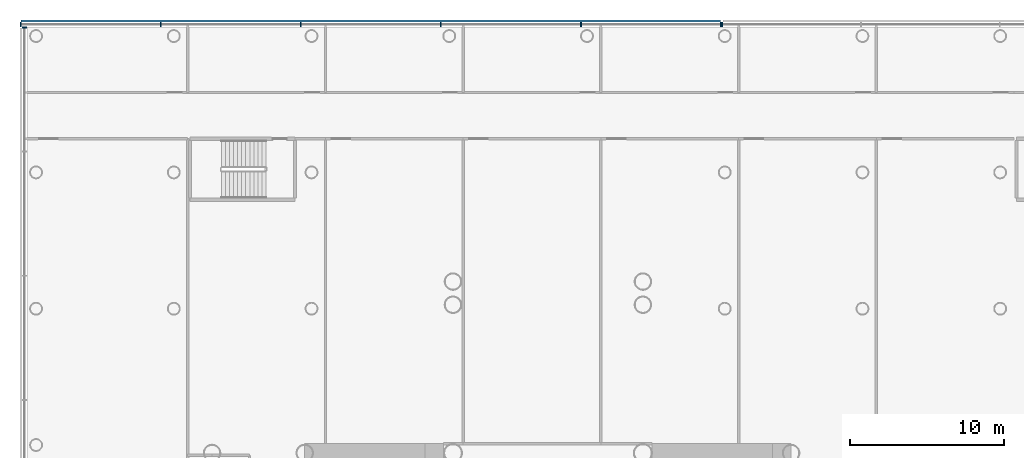
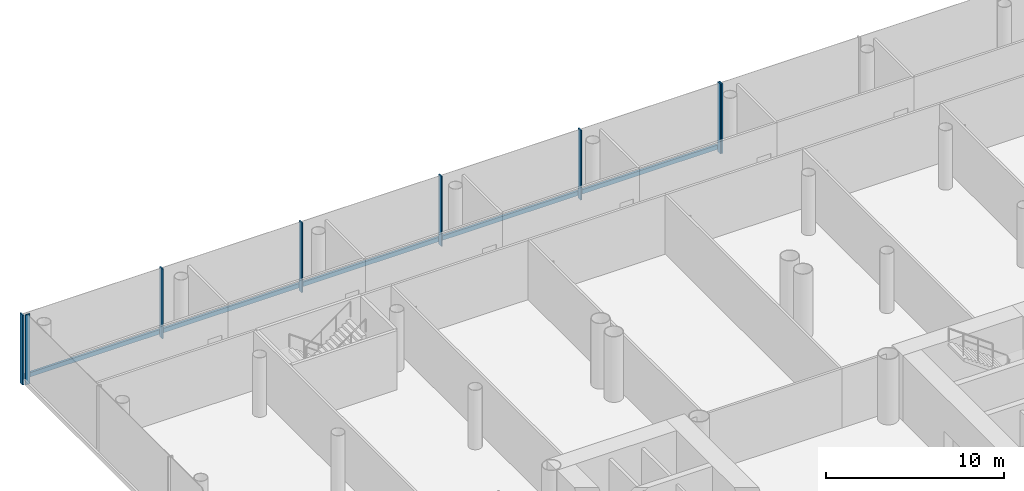
# One storey, part 10 of 49: 9 members, 3 elements without a shape of their own.
"""IFC4 building model written with IfcOpenShell, lengths in metres."""

from ifc_helpers import new_model, si_unit, direction, frame, origin, origin_2d, place, context, subcontext, project, spatial, rectangle, extrude, material, layer, layer_set, material_profile, profile_set, type_object, element, aggregate, save


model = new_model("IFC4")

# Units and contexts
model_context = context("Model", 3, precision=1e-05, world=origin(), true_north=direction((0.0, 1.0)))
body_context = subcontext(model_context, "Body", "Model", "MODEL_VIEW")
ifc_project = project(units=[si_unit("LENGTHUNIT", "METRE"), si_unit("AREAUNIT", "SQUARE_METRE"), si_unit("VOLUMEUNIT", "CUBIC_METRE"), si_unit("PLANEANGLEUNIT", "RADIAN"), si_unit("MASSUNIT", "GRAM", prefix="KILO")], contexts=[model_context])

# Site, building, storey
site_placement = place(None, origin())
site = spatial("IfcSite", under=ifc_project, at=site_placement, CompositionType="ELEMENT")
building_placement = place(site_placement, origin())
building = spatial("IfcBuilding", under=site, at=building_placement, Name="Ipe Terrace Towers", CompositionType="ELEMENT")
storey_placement = place(building_placement, frame((0.0, 0.0, 20.0)))
storey = spatial("IfcBuildingStorey", under=building, at=storey_placement, Name="L04", CompositionType="ELEMENT", Elevation=20.0)

# Curtain wall, member
ifc_material_1 = material(Name="Aluminium alloy 6063-T6", Category="aluminium")
ifc_layer = layer(ifc_material_1, 0.43994140625)
ifc_layer_set = layer_set([ifc_layer], Name="PODIUM GLAZING CURTAIN WALL")
curtain_wall_type = type_object("IfcCurtainWallType", Name="PODIUM GLAZING CURTAIN WALL", PredefinedType="NOTDEFINED", material=ifc_layer_set)
curtain_wall_1_placement = place(storey_placement, origin())
curtain_wall_1 = element("IfcCurtainWall", 1, at=curtain_wall_1_placement, inside=storey, type_object=curtain_wall_type, Name="POD-CW-L04-01b curtain wall", PredefinedType="NOTDEFINED")
ifc_material_2 = material(Name="Aluminium alloy 6063-T6", Category="aluminium")
ifc_material_profile_1 = material_profile(ifc_material_2, rectangle(XDim=0.300048828125, YDim=0.080078125, at=origin_2d()), Name="PODIUM GLAZING MULLION 300 x 80")
ifc_profile_set_1 = profile_set([ifc_material_profile_1], Name="Aluminium alloy 6063-T6")
member_type_1 = type_object("IfcMemberType", Name="PODIUM GLAZING MULLION 300 x 80", PredefinedType="MULLION", material=ifc_profile_set_1)
member_1_placement = place(storey_placement, frame((-24.7099609375, 33.89990234375, -0.300048828125), z_axis=(0.0, 0.0, 1.0), x_axis=(0.0, 1.0, 0.0)))
member_1 = element("IfcMember", 2, at=member_1_placement, type_object=member_type_1, Name="POD-CW-L04-01b mullion 6", PredefinedType="MULLION", context=body_context, shape_type="SweptSolid", body=[
    extrude(rectangle(XDim=0.300048828125, YDim=0.080078125, at=origin_2d()), origin(), (0.0, 0.0, 1.0), 4.800048828125),
])
aggregate(curtain_wall_1, [member_1])

# Curtain wall, members
curtain_wall_2_placement = place(storey_placement, origin())
curtain_wall_2 = element("IfcCurtainWall", 3, at=curtain_wall_2_placement, inside=storey, type_object=curtain_wall_type, Name="POD-CW-L04-01c curtain wall", PredefinedType="NOTDEFINED")
member_2_placement = place(storey_placement, frame((-24.7900390625, 33.89990234375, -0.300048828125), z_axis=(0.0, 0.0, 1.0), x_axis=(0.0, 1.0, 0.0)))
member_2 = element("IfcMember", 4, at=member_2_placement, type_object=member_type_1, Name="POD-CW-L04-01c mullion 1", PredefinedType="MULLION", context=body_context, shape_type="SweptSolid", body=[
    extrude(rectangle(XDim=0.300048828125, YDim=0.080078125, at=origin_2d()), origin(), (0.0, 0.0, 1.0), 4.800048828125),
])
member_3_placement = place(storey_placement, frame((-33.862060546875, 33.89990234375, -0.300048828125), z_axis=(0.0, 0.0, 1.0), x_axis=(0.0, 1.0, 0.0)))
member_3 = element("IfcMember", 5, at=member_3_placement, type_object=member_type_1, Name="POD-CW-L04-01c mullion 2", PredefinedType="MULLION", context=body_context, shape_type="SweptSolid", body=[
    extrude(rectangle(XDim=0.300048828125, YDim=0.080078125, at=origin_2d()), origin(), (0.0, 0.0, 1.0), 4.800048828125),
])
member_4_placement = place(storey_placement, frame((-42.93408203125, 33.89990234375, -0.300048828125), z_axis=(0.0, 0.0, 1.0), x_axis=(0.0, 1.0, 0.0)))
member_4 = element("IfcMember", 6, at=member_4_placement, type_object=member_type_1, Name="POD-CW-L04-01c mullion 3", PredefinedType="MULLION", context=body_context, shape_type="SweptSolid", body=[
    extrude(rectangle(XDim=0.300048828125, YDim=0.080078125, at=origin_2d()), origin(), (0.0, 0.0, 1.0), 4.800048828125),
])
member_5_placement = place(storey_placement, frame((-52.006103515625, 33.89990234375, -0.300048828125), z_axis=(0.0, 0.0, 1.0), x_axis=(0.0, 1.0, 0.0)))
member_5 = element("IfcMember", 7, at=member_5_placement, type_object=member_type_1, Name="POD-CW-L04-01c mullion 4", PredefinedType="MULLION", context=body_context, shape_type="SweptSolid", body=[
    extrude(rectangle(XDim=0.300048828125, YDim=0.080078125, at=origin_2d()), origin(), (0.0, 0.0, 1.0), 4.800048828125),
])
member_6_placement = place(storey_placement, frame((-61.077880859375, 33.89990234375, -0.300048828125), z_axis=(0.0, 0.0, 1.0), x_axis=(0.0, 1.0, 0.0)))
member_6 = element("IfcMember", 8, at=member_6_placement, type_object=member_type_1, Name="POD-CW-L04-01c mullion 5", PredefinedType="MULLION", context=body_context, shape_type="SweptSolid", body=[
    extrude(rectangle(XDim=0.300048828125, YDim=0.080078125, at=origin_2d()), origin(), (0.0, 0.0, 1.0), 4.800048828125),
])
member_7_placement = place(storey_placement, frame((-70.14990234375, 33.89990234375, -0.300048828125), z_axis=(0.0, 0.0, 1.0), x_axis=(0.0, 1.0, 0.0)))
member_7 = element("IfcMember", 9, at=member_7_placement, type_object=member_type_1, Name="POD-CW-L04-01c mullion 6", PredefinedType="MULLION", context=body_context, shape_type="SweptSolid", body=[
    extrude(rectangle(XDim=0.300048828125, YDim=0.080078125, at=origin_2d()), origin(), (0.0, 0.0, 1.0), 4.800048828125),
])

# Curtain wall, member
curtain_wall_3_placement = place(storey_placement, origin())
curtain_wall_3 = element("IfcCurtainWall", 10, at=curtain_wall_3_placement, inside=storey, type_object=curtain_wall_type, Name="POD-CW-L04-02a curtain wall", PredefinedType="NOTDEFINED")
member_8_placement = place(storey_placement, frame((-69.89990234375, 33.7099609375, -0.300048828125), z_axis=(0.0, 0.0, 1.0), x_axis=(-1.0, 0.0, 0.0)))
member_8 = element("IfcMember", 11, at=member_8_placement, type_object=member_type_1, Name="POD-CW-L04-02a mullion 1", PredefinedType="MULLION", context=body_context, shape_type="SweptSolid", body=[
    extrude(rectangle(XDim=0.300048828125, YDim=0.080078125, at=origin_2d()), origin(), (0.0, 0.0, 1.0), 4.800048828125),
])
aggregate(curtain_wall_3, [member_8])

# Member
ifc_material_3 = material(Name="Aluminium alloy 6063-T6", Category="aluminium")
ifc_material_profile_2 = material_profile(ifc_material_3, rectangle(XDim=0.139892578125, YDim=0.300048828125, at=origin_2d()), Name="PODIUM GLAZING TRANSOM 140 x 300")
ifc_profile_set_2 = profile_set([ifc_material_profile_2], Name="Aluminium alloy 6063-T6")
member_type_2 = type_object("IfcMemberType", Name="PODIUM GLAZING TRANSOM 140 x 300", PredefinedType="USERDEFINED", material=ifc_profile_set_2)
member_9_placement = place(storey_placement, frame((-24.830078125, 34.1201171875, 0.0), z_axis=(-1.0, 0.0, 0.0), x_axis=(0.0, 1.0, 0.0)))
member_9 = element("IfcMember", 12, at=member_9_placement, type_object=member_type_2, Name="POD-CW-L04-01c transom", ObjectType="TRANSOM", PredefinedType="USERDEFINED", context=body_context, shape_type="SweptSolid", body=[
    extrude(rectangle(XDim=0.139892578125, YDim=0.300048828125, at=origin_2d()), origin(), (0.0, 0.0, 1.0), 45.280029296875),
])

aggregate(curtain_wall_2, [member_2, member_3, member_4, member_5, member_6, member_7, member_9])

save(model, "model.ifc")
